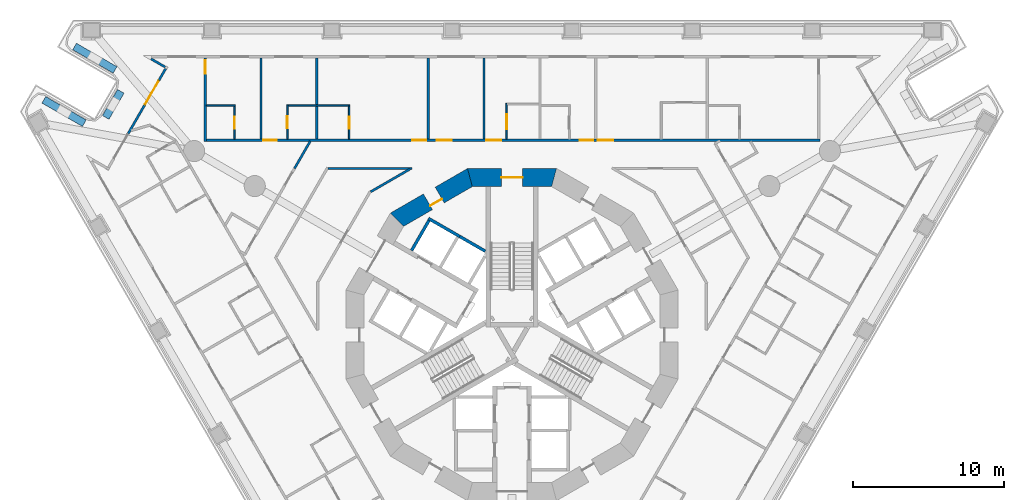
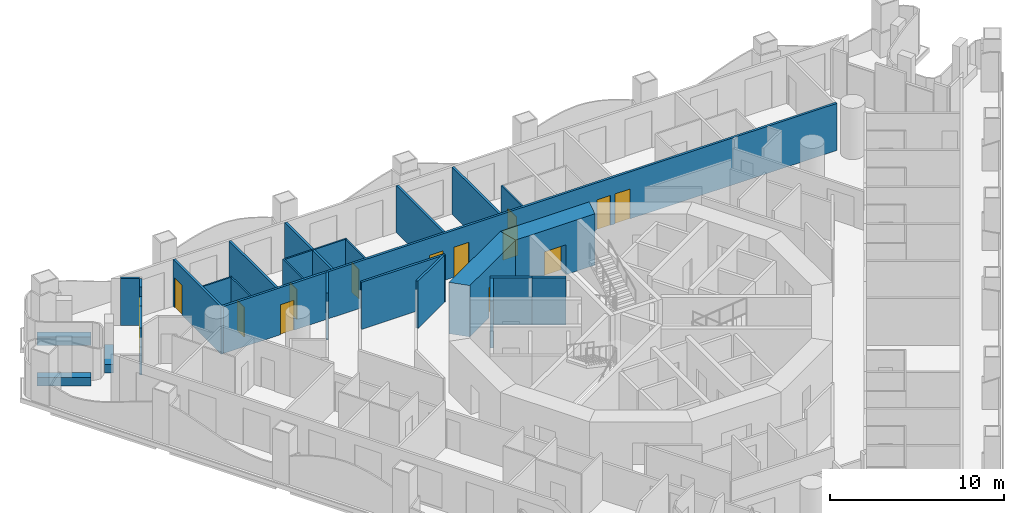
# One storey, part 7 of 19: 27 walls, 14 doors, 14 openings.
"""IFC4 building model written with IfcOpenShell, lengths in metres."""

from ifc_helpers import new_model, si_unit, direction, frame, frame_2d, origin, place, context, subcontext, project, spatial, polyline, rectangle, outline, extrude, material, layer, layer_set, type_object, element, fill, save


model = new_model("IFC4")

# Units and contexts
model_context = context("Model", 3, precision=1e-05, world=origin(), true_north=direction((0.0, 1.0)))
body_context = subcontext(model_context, "Body", "Model", "MODEL_VIEW")
ifc_project = project(units=[si_unit("LENGTHUNIT", "METRE"), si_unit("AREAUNIT", "SQUARE_METRE"), si_unit("VOLUMEUNIT", "CUBIC_METRE"), si_unit("PLANEANGLEUNIT", "RADIAN"), si_unit("MASSUNIT", "GRAM", prefix="KILO")], contexts=[model_context])

# Site, building, storey
site_placement = place(None, origin())
site = spatial("IfcSite", under=ifc_project, at=site_placement, CompositionType="ELEMENT")
building_placement = place(site_placement, origin())
building = spatial("IfcBuilding", under=site, at=building_placement, Name="Trine Commons Tower", CompositionType="ELEMENT")
storey_placement = place(building_placement, frame((0.0, 0.0, 31.5)))
storey = spatial("IfcBuildingStorey", under=building, at=storey_placement, Name="L06", CompositionType="ELEMENT", Elevation=31.5)

# Wall
ifc_material_1 = material(Name="Aluminium-framed insulated wall panel", Category="aluminium")
ifc_layer_1 = layer(ifc_material_1, 0.14990234375)
ifc_layer_set_1 = layer_set([ifc_layer_1], Name="Aluminium-framed insulated wall panel")
wall_type_1 = type_object("IfcWallType", Name="Glazed frame wall 150, EI 60", PredefinedType="SOLIDWALL", material=ifc_layer_set_1)
wall_1_placement = place(storey_placement, frame((54.54150390625, 75.81298828125, 0.0), z_axis=(0.0, 0.0, 1.0), x_axis=(0.499994660107, 0.866028486751, 0.0)))
element("IfcWall", 1, at=wall_1_placement, inside=storey, type_object=wall_type_1, Name="Glazed frame wall P1.3", PredefinedType="SOLIDWALL", context=body_context, shape_type="SweptSolid", body=[
    extrude(outline(polyline([(0.0, -0.074951171875), (2.199951171875, -0.074951171875), (2.199951171875, 0.074951171875), (0.0, 0.074951171875), (0.0, -0.074951171875)])), origin(), (0.0, 0.0, 1.0), 3.300048828125),
])

# Wall, opening, door
wall_2_placement = place(storey_placement, frame((55.641357421875, 77.718017578125, 0.0), z_axis=(0.0, 0.0, 1.0), x_axis=(0.499967155389, 0.866044365799, 0.0)))
wall_2 = element("IfcWall", 2, at=wall_2_placement, inside=storey, type_object=wall_type_1, Name="Glazed frame wall P1.4", PredefinedType="SOLIDWALL", context=body_context, shape_type="SweptSolid", body=[
    extrude(outline(polyline([(0.0, -0.074951171875), (1.89990234375, -0.074951171875), (1.89990234375, 0.074951171875), (0.0, 0.074951171875), (0.0, -0.074951171875)])), origin(), (0.0, 0.0, 1.0), 2.64990234375),
])
opening_1_placement = place(wall_2_placement, frame((0.050048828125, 0.0, 0.0)))
opening_1 = element("IfcOpeningElement", 3, at=opening_1_placement, cuts=wall_2, Name="Opening BD-1P1-02", PredefinedType="OPENING", context=body_context, shape_type="SweptSolid", body=[
    extrude(rectangle(XDim=1.800048828125, YDim=2.60009765625, at=frame_2d((0.89990234375, 1.300048828125))), frame((0.0, 0.0849609375, 0.0), z_axis=(0.0, -1.0, 0.0), x_axis=(1.0, 0.0, 0.0)), (0.0, 0.0, 1.0), 0.169921875),
])
ifc_material_2 = material(Name="Anodised aluminium frame with double glazing", Category="aluminium")
door_type_1 = type_object("IfcDoorType", Name="Sliding loggia door 1800x2600", OperationType="SLIDING_TO_LEFT", PredefinedType="DOOR", material=ifc_material_2)
door_1_placement = place(opening_1_placement, origin())
door_1 = element("IfcDoor", 4, at=door_1_placement, inside=storey, type_object=door_type_1, Name="Loggia door P1 2", OperationType="SLIDING_TO_LEFT", OverallHeight=2.60009765625, OverallWidth=1.800048828125, PredefinedType="DOOR", context=body_context, shape_type="SweptSolid", body=[
    extrude(rectangle(XDim=1.800048828125, YDim=2.60009765625, at=frame_2d((0.89990234375, 1.300048828125))), frame((0.0, 0.02490234375, 0.0), z_axis=(0.0, -1.0, 0.0), x_axis=(1.0, 0.0, 0.0)), (0.0, 0.0, 1.0), 0.050048828125),
])
fill(opening_1, door_1)

# Walls
wall_3_placement = place(storey_placement, frame((56.59130859375, 79.363525390625, 0.0), z_axis=(0.0, 0.0, 1.0), x_axis=(0.50002537861, 0.866010750942, 0.0)))
element("IfcWall", 5, at=wall_3_placement, inside=storey, type_object=wall_type_1, Name="Glazed frame wall P1.5", PredefinedType="SOLIDWALL", context=body_context, shape_type="SweptSolid", body=[
    extrude(outline(polyline([(0.889892578125, 0.074951171875), (0.0, 0.074951171875), (0.0, -0.074951171875), (0.889892578125, -0.074951171875), (0.889892578125, 0.074951171875)])), origin(), (0.0, 0.0, 1.0), 3.300048828125),
])
wall_4_placement = place(storey_placement, frame((57.104248046875, 80.181884765625, 0.0), z_axis=(0.0, 0.0, 1.0), x_axis=(-0.86606770004, 0.49992673358, 0.0)))
element("IfcWall", 6, at=wall_4_placement, inside=storey, type_object=wall_type_1, Name="Glazed frame wall R3", PredefinedType="SOLIDWALL", context=body_context, shape_type="SweptSolid", body=[
    extrude(outline(polyline([(0.110107421875, 0.074951171875), (0.110107421875, -0.074951171875), (1.19580078125, -0.074951171875), (1.19580078125, 0.074951171875), (0.110107421875, 0.074951171875)])), origin(), (0.0, 0.0, 1.0), 3.300048828125),
])
ifc_material_3 = material(Name="Planter trough, precast concrete C40/50", Category="concrete")
ifc_layer_2 = layer(ifc_material_3, 0.5)
ifc_layer_set_2 = layer_set([ifc_layer_2], Name="Planter trough, precast concrete C40/50")
wall_type_2 = type_object("IfcWallType", Name="Planter trough 500x600", PredefinedType="PARAPET", material=ifc_layer_set_2)
wall_5_placement = place(storey_placement, frame((48.95556640625, 78.068115234375, 0.0), z_axis=(0.0, 0.0, 1.0), x_axis=(0.86602952684, -0.49999285859, 0.0)))
element("IfcWall", 7, at=wall_5_placement, inside=storey, type_object=wall_type_2, Name="Planter 1", PredefinedType="PARAPET", context=body_context, shape_type="SweptSolid", body=[
    extrude(rectangle(XDim=3.10009765625, YDim=0.5, at=frame_2d((1.550048828125, 0.0))), origin(), (0.0, 0.0, 1.0), 0.60009765625),
])
wall_6_placement = place(storey_placement, frame((53.060791015625, 76.898681640625, 0.0), z_axis=(0.0, 0.0, 1.0), x_axis=(0.50002537861, 0.866010750942, 0.0)))
element("IfcWall", 8, at=wall_6_placement, inside=storey, type_object=wall_type_2, Name="Planter 2", PredefinedType="PARAPET", context=body_context, shape_type="SweptSolid", body=[
    extrude(rectangle(XDim=2.0, YDim=0.5, at=frame_2d((1.0, 0.0))), origin(), (0.0, 0.0, 1.0), 0.60009765625),
])
wall_7_placement = place(storey_placement, frame((53.680419921875, 80.05126953125, 0.0), z_axis=(0.0, 0.0, 1.0), x_axis=(-0.86602952684, 0.49999285859, 0.0)))
element("IfcWall", 9, at=wall_7_placement, inside=storey, type_object=wall_type_2, Name="Planter 3", PredefinedType="PARAPET", context=body_context, shape_type="SweptSolid", body=[
    extrude(rectangle(XDim=3.10009765625, YDim=0.5, at=frame_2d((1.550048828125, 0.0))), origin(), (0.0, 0.0, 1.0), 0.60009765625),
])

# Wall, opening, door
ifc_material_4 = material(Name="Concrete C80/95", Category="concrete")
ifc_layer_3 = layer(ifc_material_4, 1.199951171875)
ifc_layer_set_3 = layer_set([ifc_layer_3], Name="Concrete C80/95")
wall_type_3 = type_object("IfcWallType", Name="RC shear wall 1200 mm, C80/95", PredefinedType="SHEAR", material=ifc_layer_set_3)
wall_8_placement = place(storey_placement, frame((82.950439453125, 72.91162109375, 0.0), z_axis=(0.0, 0.0, 1.0), x_axis=(-1.0, 0.0, 0.0)))
wall_8 = element("IfcWall", 10, at=wall_8_placement, inside=storey, type_object=wall_type_3, Name="Core wall CWA-04 L06", PredefinedType="SHEAR", context=body_context, shape_type="SweptSolid", body=[
    extrude(outline(polyline([(0.0, -0.60009765625), (5.90087890625, -0.60009765625), (5.57958984375, 0.60009765625), (0.321533203125, 0.60009765625), (0.0, -0.60009765625)])), origin(), (0.0, 0.0, 1.0), 3.60009765625),
])
opening_2_placement = place(wall_8_placement, frame((2.25048828125, 0.0, 0.0)))
opening_2 = element("IfcOpeningElement", 11, at=opening_2_placement, cuts=wall_8, Name="Opening K05.01", PredefinedType="OPENING", context=body_context, shape_type="SweptSolid", body=[
    extrude(rectangle(XDim=1.39990234375, YDim=2.10009765625, at=frame_2d((0.699951171875, 1.050048828125))), frame((0.0, 0.60986328125, 0.0), z_axis=(0.0, -1.0, 0.0), x_axis=(1.0, 0.0, 0.0)), (0.0, 0.0, 1.0), 1.219970703125),
])
ifc_material_5 = material(Name="Steel door leaves, fire-rated", Category="steel")
door_type_2 = type_object("IfcDoorType", Name="Stair door, double leaf 1400 x 2100, FD90", OperationType="DOUBLE_DOOR_SINGLE_SWING", PredefinedType="DOOR", material=ifc_material_5)
door_2_placement = place(opening_2_placement, origin())
door_2 = element("IfcDoor", 12, at=door_2_placement, inside=storey, type_object=door_type_2, Name="Stair door to Exit stair ST1A L06", OperationType="DOUBLE_DOOR_SINGLE_SWING", OverallHeight=2.10009765625, OverallWidth=1.39990234375, PredefinedType="DOOR", context=body_context, shape_type="SweptSolid", body=[
    extrude(rectangle(XDim=1.39990234375, YDim=2.10009765625, at=frame_2d((0.699951171875, 1.050048828125))), frame((0.0, 0.02490234375, 0.0), z_axis=(0.0, -1.0, 0.0), x_axis=(1.0, 0.0, 0.0)), (0.0, 0.0, 1.0), 0.050048828125),
])
fill(opening_2, door_2)

wall_9_placement = place(storey_placement, frame((77.349609375, 72.991943359375, 0.0), z_axis=(0.0, 0.0, 1.0), x_axis=(-0.866037463336, -0.499979111662, 0.0)))
wall_9 = element("IfcWall", 13, at=wall_9_placement, inside=storey, type_object=wall_type_3, Name="Core wall CWA-05 L06", PredefinedType="SHEAR", context=body_context, shape_type="SweptSolid", body=[
    extrude(outline(polyline([(0.0, -0.60009765625), (5.901123046875, -0.60009765625), (5.57958984375, 0.60009765625), (0.321533203125, 0.60009765625), (0.0, -0.60009765625)])), origin(), (0.0, 0.0, 1.0), 3.60009765625),
])
opening_3_placement = place(wall_9_placement, frame((2.474853515625, 0.0, 0.0)))
opening_3 = element("IfcOpeningElement", 14, at=opening_3_placement, cuts=wall_9, Name="Opening K05.12", PredefinedType="OPENING", context=body_context, shape_type="SweptSolid", body=[
    extrude(rectangle(XDim=0.89990234375, YDim=2.10009765625, at=frame_2d((0.449951171875, 1.050048828125))), frame((0.0, 0.60986328125, 0.0), z_axis=(0.0, -1.0, 0.0), x_axis=(1.0, 0.0, 0.0)), (0.0, 0.0, 1.0), 1.219970703125),
])
ifc_material_6 = material(Name="Steel door leaf, fire-rated", Category="steel")
door_type_3 = type_object("IfcDoorType", Name="Core room door, single leaf 900 x 2100, FD30S", OperationType="SINGLE_SWING_LEFT", PredefinedType="DOOR", material=ifc_material_6)
door_3_placement = place(opening_3_placement, origin())
door_3 = element("IfcDoor", 15, at=door_3_placement, inside=storey, type_object=door_type_3, Name="Door to Accessible WC L06", OperationType="SINGLE_SWING_LEFT", OverallHeight=2.10009765625, OverallWidth=0.89990234375, PredefinedType="DOOR", context=body_context, shape_type="SweptSolid", body=[
    extrude(rectangle(XDim=0.89990234375, YDim=2.10009765625, at=frame_2d((0.449951171875, 1.050048828125))), frame((0.0, 0.3251953125, 0.0), z_axis=(0.0, -1.0, 0.0), x_axis=(1.0, 0.0, 0.0)), (0.0, 0.0, 1.0), 0.050048828125),
])
fill(opening_3, door_3)

# Walls
ifc_material_7 = material(Name="Fire-rated gypsum shaft wall system")
ifc_layer_4 = layer(ifc_material_7, 0.199951171875)
ifc_layer_set_4 = layer_set([ifc_layer_4], Name="Fire-rated gypsum shaft wall system")
wall_type_4 = type_object("IfcWallType", Name="Shaft wall 200 mm, EI 120", PredefinedType="PARTITIONING", material=ifc_layer_set_4)
wall_10_placement = place(storey_placement, frame((73.344970703125, 68.073974609375, 0.0), z_axis=(0.0, 0.0, 1.0), x_axis=(0.500215680983, 0.865900844496, 0.0)))
element("IfcWall", 16, at=wall_10_placement, inside=storey, type_object=wall_type_4, Name="Shaft wall L06", PredefinedType="PARTITIONING", context=body_context, shape_type="SweptSolid", body=[
    extrude(rectangle(XDim=2.29931640625, YDim=0.199951171875, at=frame_2d((1.149658203125, 0.0))), origin(), (0.0, 0.0, 1.0), 3.300048828125),
])
wall_11_placement = place(storey_placement, frame((76.5380859375, 69.001953125, 0.0), z_axis=(0.0, 0.0, 1.0), x_axis=(-0.866202511239, 0.499693115345, 0.0)))
element("IfcWall", 17, at=wall_11_placement, inside=storey, type_object=wall_type_4, Name="Shaft wall L06", PredefinedType="PARTITIONING", context=body_context, shape_type="SweptSolid", body=[
    extrude(rectangle(XDim=2.4013671875, YDim=0.199951171875, at=frame_2d((1.20068359375, 0.0))), origin(), (0.0, 0.0, 1.0), 3.300048828125),
])
wall_12_placement = place(storey_placement, frame((78.22509765625, 68.028076171875, 0.0), z_axis=(0.0, 0.0, 1.0), x_axis=(-0.866052014814, 0.499953905513, 0.0)))
element("IfcWall", 18, at=wall_12_placement, inside=storey, type_object=wall_type_4, Name="Shaft wall L06", PredefinedType="PARTITIONING", context=body_context, shape_type="SweptSolid", body=[
    extrude(rectangle(XDim=1.947998046875, YDim=0.199951171875, at=frame_2d((0.97412109375, 0.0))), origin(), (0.0, 0.0, 1.0), 3.300048828125),
])

# Wall, opening, door
ifc_material_8 = material(Name="Gypsum plasterboard on steel stud", Category="steel")
ifc_layer_5 = layer(ifc_material_8, 0.14990234375)
ifc_layer_set_5 = layer_set([ifc_layer_5], Name="Gypsum plasterboard on steel stud")
wall_type_5 = type_object("IfcWallType", Name="Unit and corridor wall 150 mm, EI 60", PredefinedType="PARTITIONING", material=ifc_layer_set_5)
wall_13_placement = place(storey_placement, frame((59.656005859375, 75.31201171875, 0.0), z_axis=(0.0, 0.0, 1.0), x_axis=(0.0, 1.0, 0.0)))
wall_13 = element("IfcWall", 19, at=wall_13_placement, inside=storey, type_object=wall_type_5, Name="Partition 012", PredefinedType="PARTITIONING", context=body_context, shape_type="SweptSolid", body=[
    extrude(rectangle(XDim=5.532958984375, YDim=0.14990234375, at=frame_2d((2.7666015625, 0.0))), origin(), (0.0, 0.0, 1.0), 3.300048828125),
])
opening_4_placement = place(wall_13_placement, frame((4.48291015625, 0.0, 0.0)))
opening_4 = element("IfcOpeningElement", 20, at=opening_4_placement, cuts=wall_13, Name="Opening D-1A07", PredefinedType="OPENING", context=body_context, shape_type="SweptSolid", body=[
    extrude(rectangle(XDim=0.89990234375, YDim=2.10009765625, at=frame_2d((0.449951171875, 1.050048828125))), frame((0.0, 0.0849609375, 0.0), z_axis=(0.0, -1.0, 0.0), x_axis=(1.0, 0.0, 0.0)), (0.0, 0.0, 1.0), 0.169921875),
])
ifc_material_9 = material(Name="Timber fire door set", Category="wood")
door_type_4 = type_object("IfcDoorType", Name="Bedroom door 900 x 2100, FD30S", OperationType="NOTDEFINED", PredefinedType="DOOR", material=ifc_material_9)
door_4_placement = place(opening_4_placement, frame((0.89990234375, 0.0, 0.0), z_axis=(0.0, 0.0, 1.0), x_axis=(-1.0, 0.0, 0.0)))
door_4 = element("IfcDoor", 21, at=door_4_placement, inside=storey, type_object=door_type_4, Name="Door D-1A07", OperationType="SINGLE_SWING_LEFT", OverallHeight=2.10009765625, OverallWidth=0.89990234375, PredefinedType="DOOR", context=body_context, shape_type="SweptSolid", body=[
    extrude(rectangle(XDim=0.89990234375, YDim=2.10009765625, at=frame_2d((0.449951171875, 1.050048828125))), frame((0.0, 0.02490234375, 0.0), z_axis=(0.0, -1.0, 0.0), x_axis=(1.0, 0.0, 0.0)), (0.0, 0.0, 1.0), 0.050048828125),
])
fill(opening_4, door_4)

# Wall, openings, doors
wall_14_placement = place(storey_placement, frame((59.73095703125, 75.386962890625, 0.0), z_axis=(0.0, 0.0, 1.0), x_axis=(1.0, 0.0, 0.0)))
wall_14 = element("IfcWall", 22, at=wall_14_placement, inside=storey, type_object=wall_type_5, Name="Partition 013", PredefinedType="PARTITIONING", context=body_context, shape_type="SweptSolid", body=[
    extrude(rectangle(XDim=40.68798828125, YDim=0.14990234375, at=frame_2d((20.343994140625, 0.0))), origin(), (0.0, 0.0, 1.0), 3.300048828125),
])
opening_5_placement = place(wall_14_placement, frame((3.77392578125, 0.0, 0.0)))
opening_5 = element("IfcOpeningElement", 23, at=opening_5_placement, cuts=wall_14, Name="Opening D-1A08", PredefinedType="OPENING", context=body_context, shape_type="SweptSolid", body=[
    extrude(rectangle(XDim=0.89990234375, YDim=2.10009765625, at=frame_2d((0.449951171875, 1.050048828125))), frame((0.0, 0.0849609375, 0.0), z_axis=(0.0, -1.0, 0.0), x_axis=(1.0, 0.0, 0.0)), (0.0, 0.0, 1.0), 0.169921875),
])
opening_6_placement = place(wall_14_placement, frame((13.669921875, 0.0, 0.0)))
opening_6 = element("IfcOpeningElement", 24, at=opening_6_placement, cuts=wall_14, Name="Opening D-1A09", PredefinedType="OPENING", context=body_context, shape_type="SweptSolid", body=[
    extrude(rectangle(XDim=0.89990234375, YDim=2.10009765625, at=frame_2d((0.449951171875, 1.050048828125))), frame((0.0, 0.0849609375, 0.0), z_axis=(0.0, -1.0, 0.0), x_axis=(1.0, 0.0, 0.0)), (0.0, 0.0, 1.0), 0.169921875),
])
opening_7_placement = place(wall_14_placement, frame((15.27001953125, 0.0, 0.0)))
opening_7 = element("IfcOpeningElement", 25, at=opening_7_placement, cuts=wall_14, Name="Opening D-1A10", PredefinedType="OPENING", context=body_context, shape_type="SweptSolid", body=[
    extrude(rectangle(XDim=1.0, YDim=2.10009765625, at=frame_2d((0.5, 1.050048828125))), frame((0.0, 0.0849609375, 0.0), z_axis=(0.0, -1.0, 0.0), x_axis=(1.0, 0.0, 0.0)), (0.0, 0.0, 1.0), 0.169921875),
])
opening_8_placement = place(wall_14_placement, frame((18.569091796875, 0.0, 0.0)))
opening_8 = element("IfcOpeningElement", 26, at=opening_8_placement, cuts=wall_14, Name="Opening D-1A11", PredefinedType="OPENING", context=body_context, shape_type="SweptSolid", body=[
    extrude(rectangle(XDim=1.0, YDim=2.10009765625, at=frame_2d((0.5, 1.050048828125))), frame((0.0, 0.0849609375, 0.0), z_axis=(0.0, -1.0, 0.0), x_axis=(1.0, 0.0, 0.0)), (0.0, 0.0, 1.0), 0.169921875),
])
opening_9_placement = place(wall_14_placement, frame((24.76708984375, 0.0, 0.0)))
opening_9 = element("IfcOpeningElement", 27, at=opening_9_placement, cuts=wall_14, Name="Opening D-1A12", PredefinedType="OPENING", context=body_context, shape_type="SweptSolid", body=[
    extrude(rectangle(XDim=0.89990234375, YDim=2.10009765625, at=frame_2d((0.449951171875, 1.050048828125))), frame((0.0, 0.0849609375, 0.0), z_axis=(0.0, -1.0, 0.0), x_axis=(1.0, 0.0, 0.0)), (0.0, 0.0, 1.0), 0.169921875),
])
opening_10_placement = place(wall_14_placement, frame((25.967041015625, 0.0, 0.0)))
opening_10 = element("IfcOpeningElement", 28, at=opening_10_placement, cuts=wall_14, Name="Opening D-1A13", PredefinedType="OPENING", context=body_context, shape_type="SweptSolid", body=[
    extrude(rectangle(XDim=1.0, YDim=2.10009765625, at=frame_2d((0.5, 1.050048828125))), frame((0.0, 0.0849609375, 0.0), z_axis=(0.0, -1.0, 0.0), x_axis=(1.0, 0.0, 0.0)), (0.0, 0.0, 1.0), 0.169921875),
])
door_type_5 = type_object("IfcDoorType", Name="Bedroom door 1000 x 2100, FD30S", OperationType="NOTDEFINED", PredefinedType="DOOR", material=ifc_material_9)
door_5_placement = place(opening_8_placement, origin())
door_5 = element("IfcDoor", 29, at=door_5_placement, inside=storey, type_object=door_type_5, Name="Door D-1A11", OperationType="SINGLE_SWING_LEFT", OverallHeight=2.10009765625, OverallWidth=1.0, PredefinedType="DOOR", context=body_context, shape_type="SweptSolid", body=[
    extrude(rectangle(XDim=1.0, YDim=2.10009765625, at=frame_2d((0.5, 1.050048828125))), frame((0.0, 0.02490234375, 0.0), z_axis=(0.0, -1.0, 0.0), x_axis=(1.0, 0.0, 0.0)), (0.0, 0.0, 1.0), 0.050048828125),
])
fill(opening_8, door_5)
door_6_placement = place(opening_10_placement, origin())
door_6 = element("IfcDoor", 30, at=door_6_placement, inside=storey, type_object=door_type_5, Name="Door D-1A13", OperationType="SINGLE_SWING_RIGHT", OverallHeight=2.10009765625, OverallWidth=1.0, PredefinedType="DOOR", context=body_context, shape_type="SweptSolid", body=[
    extrude(rectangle(XDim=1.0, YDim=2.10009765625, at=frame_2d((0.5, 1.050048828125))), frame((0.0, 0.02490234375, 0.0), z_axis=(0.0, -1.0, 0.0), x_axis=(1.0, 0.0, 0.0)), (0.0, 0.0, 1.0), 0.050048828125),
])
fill(opening_10, door_6)
door_7_placement = place(opening_5_placement, origin())
door_7 = element("IfcDoor", 31, at=door_7_placement, inside=storey, type_object=door_type_4, Name="Door D-1A08", OperationType="SINGLE_SWING_LEFT", OverallHeight=2.10009765625, OverallWidth=0.89990234375, PredefinedType="DOOR", context=body_context, shape_type="SweptSolid", body=[
    extrude(rectangle(XDim=0.89990234375, YDim=2.10009765625, at=frame_2d((0.449951171875, 1.050048828125))), frame((0.0, 0.02490234375, 0.0), z_axis=(0.0, -1.0, 0.0), x_axis=(1.0, 0.0, 0.0)), (0.0, 0.0, 1.0), 0.050048828125),
])
fill(opening_5, door_7)
door_8_placement = place(opening_6_placement, origin())
door_8 = element("IfcDoor", 32, at=door_8_placement, inside=storey, type_object=door_type_4, Name="Door D-1A09", OperationType="SINGLE_SWING_LEFT", OverallHeight=2.10009765625, OverallWidth=0.89990234375, PredefinedType="DOOR", context=body_context, shape_type="SweptSolid", body=[
    extrude(rectangle(XDim=0.89990234375, YDim=2.10009765625, at=frame_2d((0.449951171875, 1.050048828125))), frame((0.0, 0.02490234375, 0.0), z_axis=(0.0, -1.0, 0.0), x_axis=(1.0, 0.0, 0.0)), (0.0, 0.0, 1.0), 0.050048828125),
])
fill(opening_6, door_8)
door_9_placement = place(opening_9_placement, origin())
door_9 = element("IfcDoor", 33, at=door_9_placement, inside=storey, type_object=door_type_4, Name="Door D-1A12", OperationType="SINGLE_SWING_RIGHT", OverallHeight=2.10009765625, OverallWidth=0.89990234375, PredefinedType="DOOR", context=body_context, shape_type="SweptSolid", body=[
    extrude(rectangle(XDim=0.89990234375, YDim=2.10009765625, at=frame_2d((0.449951171875, 1.050048828125))), frame((0.0, 0.02490234375, 0.0), z_axis=(0.0, -1.0, 0.0), x_axis=(1.0, 0.0, 0.0)), (0.0, 0.0, 1.0), 0.050048828125),
])
fill(opening_9, door_9)
ifc_material_10 = material(Name="Painted timber", Category="wood")
door_type_6 = type_object("IfcDoorType", Name="Toilet door 1000 x 2100, NOT RATED", OperationType="NOTDEFINED", PredefinedType="DOOR", material=ifc_material_10)
door_10_placement = place(opening_7_placement, origin())
door_10 = element("IfcDoor", 34, at=door_10_placement, inside=storey, type_object=door_type_6, Name="Door D-1A10", OperationType="SINGLE_SWING_LEFT", OverallHeight=2.10009765625, OverallWidth=1.0, PredefinedType="DOOR", context=body_context, shape_type="SweptSolid", body=[
    extrude(rectangle(XDim=1.0, YDim=2.10009765625, at=frame_2d((0.5, 1.050048828125))), frame((0.0, 0.02490234375, 0.0), z_axis=(0.0, -1.0, 0.0), x_axis=(1.0, 0.0, 0.0)), (0.0, 0.0, 1.0), 0.050048828125),
])
fill(opening_7, door_10)

# Walls
wall_15_placement = place(storey_placement, frame((63.35498046875, 75.4619140625, 0.0), z_axis=(0.0, 0.0, 1.0), x_axis=(0.0, 1.0, 0.0)))
element("IfcWall", 35, at=wall_15_placement, inside=storey, type_object=wall_type_5, Name="Partition 028", PredefinedType="PARTITIONING", context=body_context, shape_type="SweptSolid", body=[
    extrude(rectangle(XDim=5.383056640625, YDim=0.14990234375, at=frame_2d((2.69140625, 0.0))), origin(), (0.0, 0.0, 1.0), 3.300048828125),
])
wall_16_placement = place(storey_placement, frame((65.575927734375, 73.510009765625, 0.0), z_axis=(0.0, 0.0, 1.0), x_axis=(0.499816741327, 0.866131182379, 0.0)))
element("IfcWall", 36, at=wall_16_placement, inside=storey, type_object=wall_type_5, Name="Partition 034", PredefinedType="PARTITIONING", context=body_context, shape_type="SweptSolid", body=[
    extrude(rectangle(XDim=2.092041015625, YDim=0.14990234375, at=frame_2d((1.0458984375, 0.0))), origin(), (0.0, 0.0, 1.0), 3.300048828125),
])
wall_17_placement = place(storey_placement, frame((67.053955078125, 75.4619140625, 0.0), z_axis=(0.0, 0.0, 1.0), x_axis=(0.0, 1.0, 0.0)))
element("IfcWall", 37, at=wall_17_placement, inside=storey, type_object=wall_type_5, Name="Partition 037", PredefinedType="PARTITIONING", context=body_context, shape_type="SweptSolid", body=[
    extrude(rectangle(XDim=5.383056640625, YDim=0.14990234375, at=frame_2d((2.69140625, 0.0))), origin(), (0.0, 0.0, 1.0), 3.300048828125),
])
wall_18_placement = place(storey_placement, frame((67.81591796875, 73.511962890625, 0.0), z_axis=(0.0, 0.0, 1.0), x_axis=(1.0, 0.0, 0.0)))
element("IfcWall", 38, at=wall_18_placement, inside=storey, type_object=wall_type_5, Name="Partition 041", PredefinedType="PARTITIONING", context=body_context, shape_type="SweptSolid", body=[
    extrude(rectangle(XDim=5.55810546875, YDim=0.14990234375, at=frame_2d((2.779052734375, 0.0))), origin(), (0.0, 0.0, 1.0), 3.300048828125),
])
wall_19_placement = place(storey_placement, frame((70.630859375, 71.971435546875, 0.0), z_axis=(0.0, 0.0, 1.0), x_axis=(0.865962665808, 0.500108649621, 0.0)))
element("IfcWall", 39, at=wall_19_placement, inside=storey, type_object=wall_type_5, Name="Partition 047", PredefinedType="PARTITIONING", context=body_context, shape_type="SweptSolid", body=[
    extrude(rectangle(XDim=3.009521484375, YDim=0.14990234375, at=frame_2d((1.5048828125, 0.0))), origin(), (0.0, 0.0, 1.0), 3.300048828125),
])
for number, where, z_axis, x_axis, name in (
    (40, (74.450927734375, 75.4619140625, 0.0), (0.0, 0.0, 1.0), (0.0, 1.0, 0.0), "Partition 055"),
    (41, (78.14990234375, 75.4619140625, 0.0), (0.0, 0.0, 1.0), (0.0, 1.0, 0.0), "Partition 064"),
):
    element("IfcWall", number, at=place(storey_placement, frame(where, z_axis=z_axis, x_axis=x_axis)), inside=storey, type_object=wall_type_5, Name=name, PredefinedType="PARTITIONING", context=body_context, shape_type="SweptSolid", body=[
        extrude(rectangle(XDim=5.383056640625, YDim=0.14990234375, at=frame_2d((2.69140625, 0.0))), origin(), (0.0, 0.0, 1.0), 3.300048828125),
    ])
ifc_layer_6 = layer(ifc_material_8, 0.10009765625)
ifc_layer_set_6 = layer_set([ifc_layer_6], Name="Gypsum plasterboard on steel stud")
wall_type_6 = type_object("IfcWallType", Name="Unit partition 100 mm, no rating", PredefinedType="PARTITIONING", material=ifc_layer_set_6)
wall_20_placement = place(storey_placement, frame((59.73095703125, 77.68701171875, 0.0), z_axis=(0.0, 0.0, 1.0), x_axis=(1.0, 0.0, 0.0)))
element("IfcWall", 42, at=wall_20_placement, inside=storey, type_object=wall_type_6, Name="Partition 014", PredefinedType="PARTITIONING", context=body_context, shape_type="SweptSolid", body=[
    extrude(rectangle(XDim=1.925048828125, YDim=0.10009765625, at=frame_2d((0.96240234375, 0.0))), origin(), (0.0, 0.0, 1.0), 3.300048828125),
])

# Wall, opening, door
wall_21_placement = place(storey_placement, frame((61.60595703125, 75.4619140625, 0.0), z_axis=(0.0, 0.0, 1.0), x_axis=(0.0, 1.0, 0.0)))
wall_21 = element("IfcWall", 43, at=wall_21_placement, inside=storey, type_object=wall_type_6, Name="Partition 021", PredefinedType="PARTITIONING", context=body_context, shape_type="SweptSolid", body=[
    extrude(rectangle(XDim=2.175048828125, YDim=0.10009765625, at=frame_2d((1.08740234375, 0.0))), origin(), (0.0, 0.0, 1.0), 3.300048828125),
])
opening_11_placement = place(wall_21_placement, frame((0.6875, 0.0, 0.0)))
opening_11 = element("IfcOpeningElement", 44, at=opening_11_placement, cuts=wall_21, Name="Opening D-1A41", PredefinedType="OPENING", context=body_context, shape_type="SweptSolid", body=[
    extrude(rectangle(XDim=0.800048828125, YDim=2.10009765625, at=frame_2d((0.39990234375, 1.050048828125))), frame((0.0, 0.06005859375, 0.0), z_axis=(0.0, -1.0, 0.0), x_axis=(1.0, 0.0, 0.0)), (0.0, 0.0, 1.0), 0.1201171875),
])
door_type_7 = type_object("IfcDoorType", Name="Internal door 800 x 2100, NOT RATED", OperationType="NOTDEFINED", PredefinedType="DOOR", material=ifc_material_10)
door_11_placement = place(opening_11_placement, frame((0.800048828125, 0.0, 0.0), z_axis=(0.0, 0.0, 1.0), x_axis=(-1.0, 0.0, 0.0)))
door_11 = element("IfcDoor", 45, at=door_11_placement, inside=storey, type_object=door_type_7, Name="Door D-1A41", OperationType="SINGLE_SWING_RIGHT", OverallHeight=2.10009765625, OverallWidth=0.800048828125, PredefinedType="DOOR", context=body_context, shape_type="SweptSolid", body=[
    extrude(rectangle(XDim=0.800048828125, YDim=2.10009765625, at=frame_2d((0.39990234375, 1.050048828125))), frame((0.0, 0.02490234375, 0.0), z_axis=(0.0, -1.0, 0.0), x_axis=(1.0, 0.0, 0.0)), (0.0, 0.0, 1.0), 0.050048828125),
])
fill(opening_11, door_11)

wall_22_placement = place(storey_placement, frame((65.10400390625, 75.4619140625, 0.0), z_axis=(0.0, 0.0, 1.0), x_axis=(0.0, 1.0, 0.0)))
wall_22 = element("IfcWall", 46, at=wall_22_placement, inside=storey, type_object=wall_type_6, Name="Partition 032", PredefinedType="PARTITIONING", context=body_context, shape_type="SweptSolid", body=[
    extrude(rectangle(XDim=2.275146484375, YDim=0.10009765625, at=frame_2d((1.1376953125, 0.0))), origin(), (0.0, 0.0, 1.0), 3.300048828125),
])
opening_12_placement = place(wall_22_placement, frame((0.71240234375, 0.0, 0.0)))
opening_12 = element("IfcOpeningElement", 47, at=opening_12_placement, cuts=wall_22, Name="Opening D-1A42", PredefinedType="OPENING", context=body_context, shape_type="SweptSolid", body=[
    extrude(rectangle(XDim=0.800048828125, YDim=2.10009765625, at=frame_2d((0.39990234375, 1.050048828125))), frame((0.0, 0.06005859375, 0.0), z_axis=(0.0, -1.0, 0.0), x_axis=(1.0, 0.0, 0.0)), (0.0, 0.0, 1.0), 0.1201171875),
])
door_12_placement = place(opening_12_placement, origin())
door_12 = element("IfcDoor", 48, at=door_12_placement, inside=storey, type_object=door_type_7, Name="Door D-1A42", OperationType="SINGLE_SWING_LEFT", OverallHeight=2.10009765625, OverallWidth=0.800048828125, PredefinedType="DOOR", context=body_context, shape_type="SweptSolid", body=[
    extrude(rectangle(XDim=0.800048828125, YDim=2.10009765625, at=frame_2d((0.39990234375, 1.050048828125))), frame((0.0, 0.02490234375, 0.0), z_axis=(0.0, -1.0, 0.0), x_axis=(1.0, 0.0, 0.0)), (0.0, 0.0, 1.0), 0.050048828125),
])
fill(opening_12, door_12)

# Wall
wall_23_placement = place(storey_placement, frame((65.154052734375, 77.68701171875, 0.0), z_axis=(0.0, 0.0, 1.0), x_axis=(1.0, 0.0, 0.0)))
element("IfcWall", 49, at=wall_23_placement, inside=storey, type_object=wall_type_6, Name="Partition 033", PredefinedType="PARTITIONING", context=body_context, shape_type="SweptSolid", body=[
    extrude(rectangle(XDim=4.099853515625, YDim=0.10009765625, at=frame_2d((2.0498046875, 0.0))), origin(), (0.0, 0.0, 1.0), 3.300048828125),
])

# Wall, opening, door
wall_24_placement = place(storey_placement, frame((69.2041015625, 75.4619140625, 0.0), z_axis=(0.0, 0.0, 1.0), x_axis=(0.0, 1.0, 0.0)))
wall_24 = element("IfcWall", 50, at=wall_24_placement, inside=storey, type_object=wall_type_6, Name="Partition 045", PredefinedType="PARTITIONING", context=body_context, shape_type="SweptSolid", body=[
    extrude(rectangle(XDim=2.175048828125, YDim=0.10009765625, at=frame_2d((1.08740234375, 0.0))), origin(), (0.0, 0.0, 1.0), 3.300048828125),
])
opening_13_placement = place(wall_24_placement, frame((0.6875, 0.0, 0.0)))
opening_13 = element("IfcOpeningElement", 51, at=opening_13_placement, cuts=wall_24, Name="Opening D-1A43", PredefinedType="OPENING", context=body_context, shape_type="SweptSolid", body=[
    extrude(rectangle(XDim=0.800048828125, YDim=2.10009765625, at=frame_2d((0.39990234375, 1.050048828125))), frame((0.0, 0.06005859375, 0.0), z_axis=(0.0, -1.0, 0.0), x_axis=(1.0, 0.0, 0.0)), (0.0, 0.0, 1.0), 0.1201171875),
])
door_13_placement = place(opening_13_placement, frame((0.800048828125, 0.0, 0.0), z_axis=(0.0, 0.0, 1.0), x_axis=(-1.0, 0.0, 0.0)))
door_13 = element("IfcDoor", 52, at=door_13_placement, inside=storey, type_object=door_type_7, Name="Door D-1A43", OperationType="SINGLE_SWING_RIGHT", OverallHeight=2.10009765625, OverallWidth=0.800048828125, PredefinedType="DOOR", context=body_context, shape_type="SweptSolid", body=[
    extrude(rectangle(XDim=0.800048828125, YDim=2.10009765625, at=frame_2d((0.39990234375, 1.050048828125))), frame((0.0, 0.02490234375, 0.0), z_axis=(0.0, -1.0, 0.0), x_axis=(1.0, 0.0, 0.0)), (0.0, 0.0, 1.0), 0.050048828125),
])
fill(opening_13, door_13)

wall_25_placement = place(storey_placement, frame((79.64892578125, 75.4619140625, 0.0), z_axis=(0.0, 0.0, 1.0), x_axis=(0.0, 1.0, 0.0)))
wall_25 = element("IfcWall", 53, at=wall_25_placement, inside=storey, type_object=wall_type_6, Name="Partition 067", PredefinedType="PARTITIONING", context=body_context, shape_type="SweptSolid", body=[
    extrude(rectangle(XDim=2.375, YDim=0.10009765625, at=frame_2d((1.1875, 0.0))), origin(), (0.0, 0.0, 1.0), 3.300048828125),
])
opening_14_placement = place(wall_25_placement, frame((0.66259765625, 0.0, 0.0)))
opening_14 = element("IfcOpeningElement", 54, at=opening_14_placement, cuts=wall_25, Name="Opening D-1A44", PredefinedType="OPENING", context=body_context, shape_type="SweptSolid", body=[
    extrude(rectangle(XDim=1.0, YDim=2.10009765625, at=frame_2d((0.5, 1.050048828125))), frame((0.0, 0.06005859375, 0.0), z_axis=(0.0, -1.0, 0.0), x_axis=(1.0, 0.0, 0.0)), (0.0, 0.0, 1.0), 0.1201171875),
])
door_type_8 = type_object("IfcDoorType", Name="Internal door 1000 x 2100, NOT RATED", OperationType="NOTDEFINED", PredefinedType="DOOR", material=ifc_material_10)
door_14_placement = place(opening_14_placement, origin())
door_14 = element("IfcDoor", 55, at=door_14_placement, inside=storey, type_object=door_type_8, Name="Door D-1A44", OperationType="SINGLE_SWING_LEFT", OverallHeight=2.10009765625, OverallWidth=1.0, PredefinedType="DOOR", context=body_context, shape_type="SweptSolid", body=[
    extrude(rectangle(XDim=1.0, YDim=2.10009765625, at=frame_2d((0.5, 1.050048828125))), frame((0.0, 0.02490234375, 0.0), z_axis=(0.0, -1.0, 0.0), x_axis=(1.0, 0.0, 0.0)), (0.0, 0.0, 1.0), 0.050048828125),
])
fill(opening_14, door_14)

save(model, "model.ifc")
